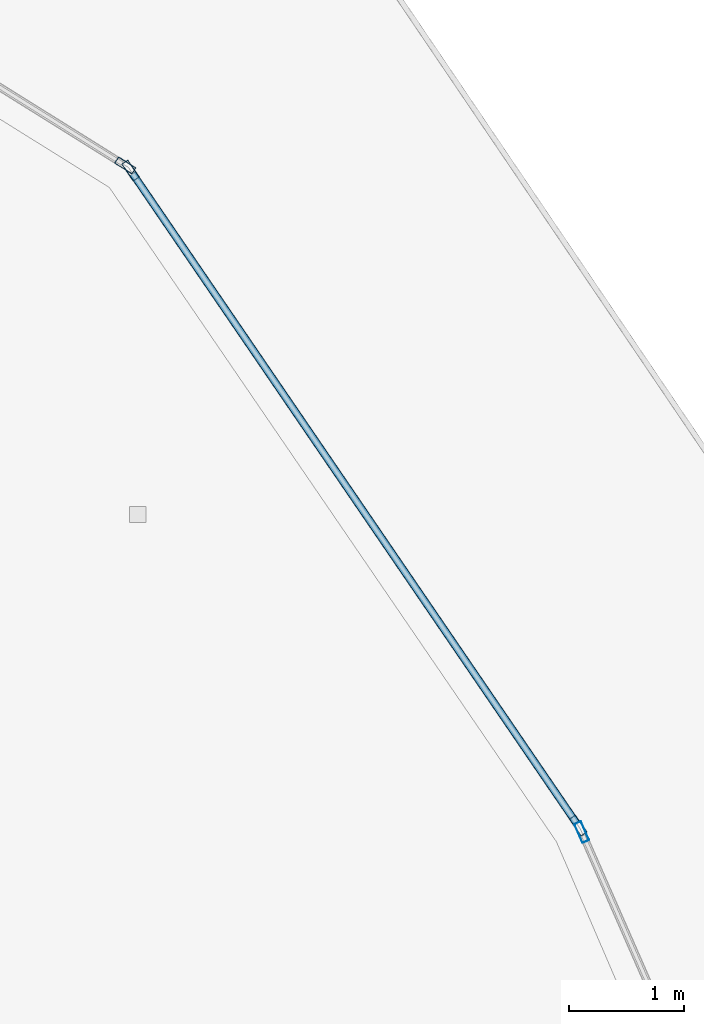
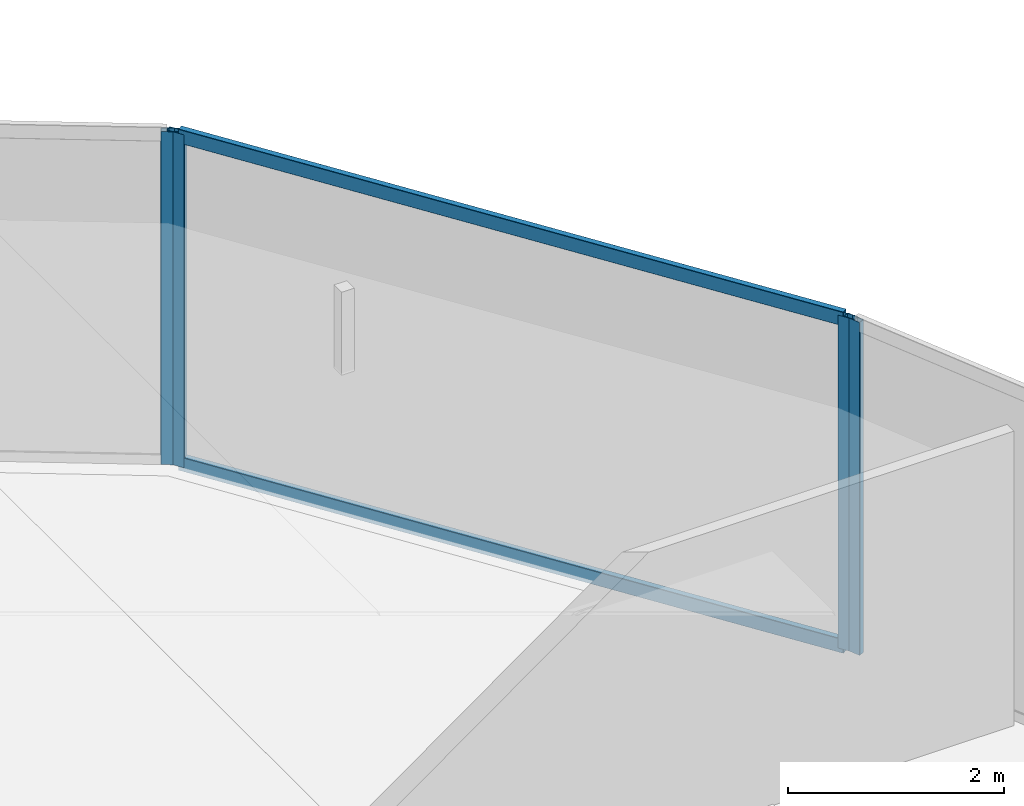
# One storey, part 25 of 45: 6 members, 3 elements without a shape of their own.
"""IFC4 building model written with IfcOpenShell, lengths in metres."""

from ifc_helpers import new_model, si_unit, direction, frame, origin, origin_2d, place, context, subcontext, project, spatial, hollow_rectangle, extrude, material, layer, layer_set, material_profile, profile_set, type_object, element, aggregate, save


model = new_model("IFC4")

# Units and contexts
model_context = context("Model", 3, precision=1e-05, world=origin(), true_north=direction((0.0, 1.0)))
body_context = subcontext(model_context, "Body", "Model", "MODEL_VIEW")
ifc_project = project(units=[si_unit("LENGTHUNIT", "METRE"), si_unit("AREAUNIT", "SQUARE_METRE"), si_unit("VOLUMEUNIT", "CUBIC_METRE"), si_unit("PLANEANGLEUNIT", "RADIAN"), si_unit("MASSUNIT", "GRAM", prefix="KILO")], contexts=[model_context])

# Site, building, storey
site_placement = place(None, origin())
site = spatial("IfcSite", under=ifc_project, at=site_placement, CompositionType="ELEMENT")
building_placement = place(site_placement, origin())
building = spatial("IfcBuilding", under=site, at=building_placement, Name="Qorvath Tower", CompositionType="ELEMENT")
storey_placement = place(building_placement, frame((0.0, 0.0, 109.800048828125)))
storey = spatial("IfcBuildingStorey", under=building, at=storey_placement, Name="L24", CompositionType="ELEMENT", Elevation=109.800048828125)

# Curtain wall, member
ifc_material_1 = material(Name="Anodised aluminium and triple low-E glass", Category="aluminium")
ifc_layer = layer(ifc_material_1, 0.179931640625)
ifc_layer_set = layer_set([ifc_layer], Name="CW-SYS-2")
curtain_wall_type = type_object("IfcCurtainWallType", Name="CW-SYS-2", PredefinedType="NOTDEFINED", material=ifc_layer_set)
curtain_wall_1_placement = place(storey_placement, origin())
curtain_wall_1 = element("IfcCurtainWall", 1, at=curtain_wall_1_placement, inside=storey, type_object=curtain_wall_type, Name="Curtain Wall CW-2 CW-T-L24-12.1", PredefinedType="NOTDEFINED")
ifc_material_2 = material(Name="Anodised aluminium 6063-T6", Category="aluminium")
ifc_material_profile_1 = material_profile(ifc_material_2, hollow_rectangle(XDim=0.06494140625, YDim=0.179931640625, WallThickness=0.00341796875, InnerFilletRadius=0.00341796875, OuterFilletRadius=0.007080078125, at=origin_2d()), Name="CWM 180x65")
ifc_profile_set_1 = profile_set([ifc_material_profile_1], Name="Anodised aluminium 6063-T6")
member_type_1 = type_object("IfcMemberType", Name="CWM-180", PredefinedType="MULLION", material=ifc_profile_set_1)
member_1_placement = place(storey_placement, frame((0.63525390625, 18.151123046875, 0.0), z_axis=(0.0, 0.0, 1.0), x_axis=(-0.915821362935, -0.401585895161, 0.0)))
member_1 = element("IfcMember", 2, at=member_1_placement, type_object=member_type_1, Name="CW-2 mullion 2", PredefinedType="MULLION", context=body_context, shape_type="SweptSolid", body=[
    extrude(hollow_rectangle(XDim=0.06494140625, YDim=0.179931640625, WallThickness=0.00341796875, InnerFilletRadius=0.00341796875, OuterFilletRadius=0.007080078125, at=origin_2d()), origin(), (0.0, 0.0, 1.0), 3.77001953125),
])
aggregate(curtain_wall_1, [member_1])

# Curtain wall, members
curtain_wall_2_placement = place(storey_placement, origin())
curtain_wall_2 = element("IfcCurtainWall", 3, at=curtain_wall_2_placement, inside=storey, type_object=curtain_wall_type, Name="Curtain Wall CW-2 CW-T-L24-13.1", PredefinedType="NOTDEFINED")
member_2_placement = place(storey_placement, frame((0.60400390625, 18.207763671875, 0.0), z_axis=(0.0, 0.0, 1.0), x_axis=(-0.825695001763, -0.564116800019, 0.0)))
member_2 = element("IfcMember", 4, at=member_2_placement, type_object=member_type_1, Name="CW-2 mullion 1", PredefinedType="MULLION", context=body_context, shape_type="SweptSolid", body=[
    extrude(hollow_rectangle(XDim=0.06494140625, YDim=0.179931640625, WallThickness=0.00341796875, InnerFilletRadius=0.00341796875, OuterFilletRadius=0.007080078125, at=origin_2d()), origin(), (0.0, 0.0, 1.0), 3.77001953125),
])
member_3_placement = place(storey_placement, frame((-3.2900390625, 23.9072265625, 0.0), z_axis=(0.0, 0.0, 1.0), x_axis=(-0.825695001763, -0.564116800019, 0.0)))
member_3 = element("IfcMember", 5, at=member_3_placement, type_object=member_type_1, Name="CW-2 mullion 2", PredefinedType="MULLION", context=body_context, shape_type="SweptSolid", body=[
    extrude(hollow_rectangle(XDim=0.06494140625, YDim=0.179931640625, WallThickness=0.00341796875, InnerFilletRadius=0.00341796875, OuterFilletRadius=0.007080078125, at=origin_2d()), origin(), (0.0, 0.0, 1.0), 3.77001953125),
])

# Curtain wall, member
curtain_wall_3_placement = place(storey_placement, origin())
curtain_wall_3 = element("IfcCurtainWall", 6, at=curtain_wall_3_placement, inside=storey, type_object=curtain_wall_type, Name="Curtain Wall CW-2 CW-T-L24-14.1", PredefinedType="NOTDEFINED")
member_4_placement = place(storey_placement, frame((-3.3359375, 23.951416015625, 0.0), z_axis=(0.0, 0.0, 1.0), x_axis=(-0.529548597524, -0.848279601818, 0.0)))
member_4 = element("IfcMember", 7, at=member_4_placement, type_object=member_type_1, Name="CW-2 mullion 1", PredefinedType="MULLION", context=body_context, shape_type="SweptSolid", body=[
    extrude(hollow_rectangle(XDim=0.06494140625, YDim=0.179931640625, WallThickness=0.00341796875, InnerFilletRadius=0.00341796875, OuterFilletRadius=0.007080078125, at=origin_2d()), origin(), (0.0, 0.0, 1.0), 3.77001953125),
])
aggregate(curtain_wall_3, [member_4])

# Member
ifc_material_3 = material(Name="Anodised aluminium 6063-T6", Category="aluminium")
ifc_material_profile_2 = material_profile(ifc_material_3, hollow_rectangle(XDim=0.06494140625, YDim=0.159912109375, WallThickness=0.00341796875, InnerFilletRadius=0.00341796875, OuterFilletRadius=0.007080078125, at=origin_2d()), Name="CWT 160x65")
ifc_profile_set_2 = profile_set([ifc_material_profile_2], Name="Anodised aluminium 6063-T6")
member_type_2 = type_object("IfcMemberType", Name="CWT-160", PredefinedType="USERDEFINED", material=ifc_profile_set_2)
member_5_placement = place(storey_placement, frame((0.585693359375, 18.234619140625, 0.032470703125), z_axis=(-0.564139796164, 0.825679290272, 0.0), x_axis=(-0.825679290272, -0.564139796164, 0.0)))
member_5 = element("IfcMember", 8, at=member_5_placement, type_object=member_type_2, Name="CW-2 transom 1.1", ObjectType="TRANSOM", PredefinedType="USERDEFINED", context=body_context, shape_type="SweptSolid", body=[
    extrude(hollow_rectangle(XDim=0.06494140625, YDim=0.159912109375, WallThickness=0.00341796875, InnerFilletRadius=0.00341796875, OuterFilletRadius=0.007080078125, at=origin_2d()), origin(), (0.0, 0.0, 1.0), 6.837646484375),
])

member_6_placement = place(storey_placement, frame((0.585693359375, 18.234619140625, 3.737548828125), z_axis=(-0.564139796164, 0.825679290272, 0.0), x_axis=(-0.825679290272, -0.564139796164, 0.0)))
member_6 = element("IfcMember", 9, at=member_6_placement, type_object=member_type_2, Name="CW-2 transom 1.2", ObjectType="TRANSOM", PredefinedType="USERDEFINED", context=body_context, shape_type="SweptSolid", body=[
    extrude(hollow_rectangle(XDim=0.06494140625, YDim=0.159912109375, WallThickness=0.00341796875, InnerFilletRadius=0.00341796875, OuterFilletRadius=0.007080078125, at=origin_2d()), origin(), (0.0, 0.0, 1.0), 6.837646484375),
])

aggregate(curtain_wall_2, [member_2, member_3, member_5, member_6])

save(model, "model.ifc")
